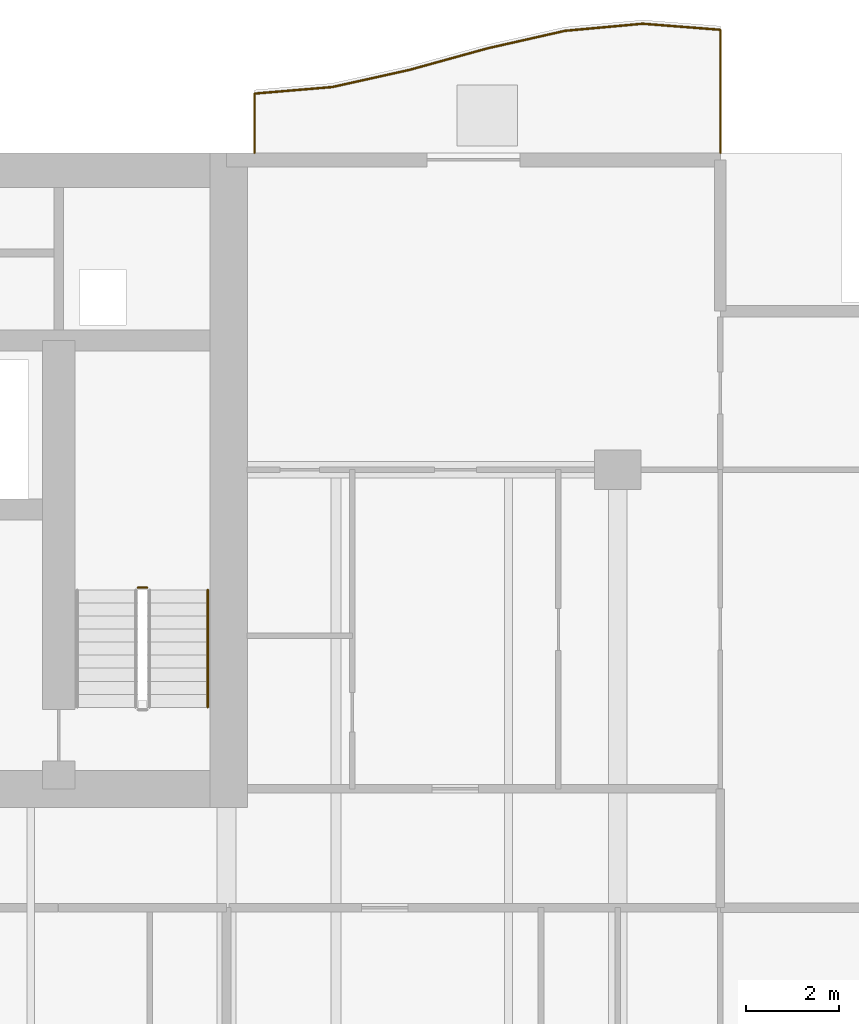
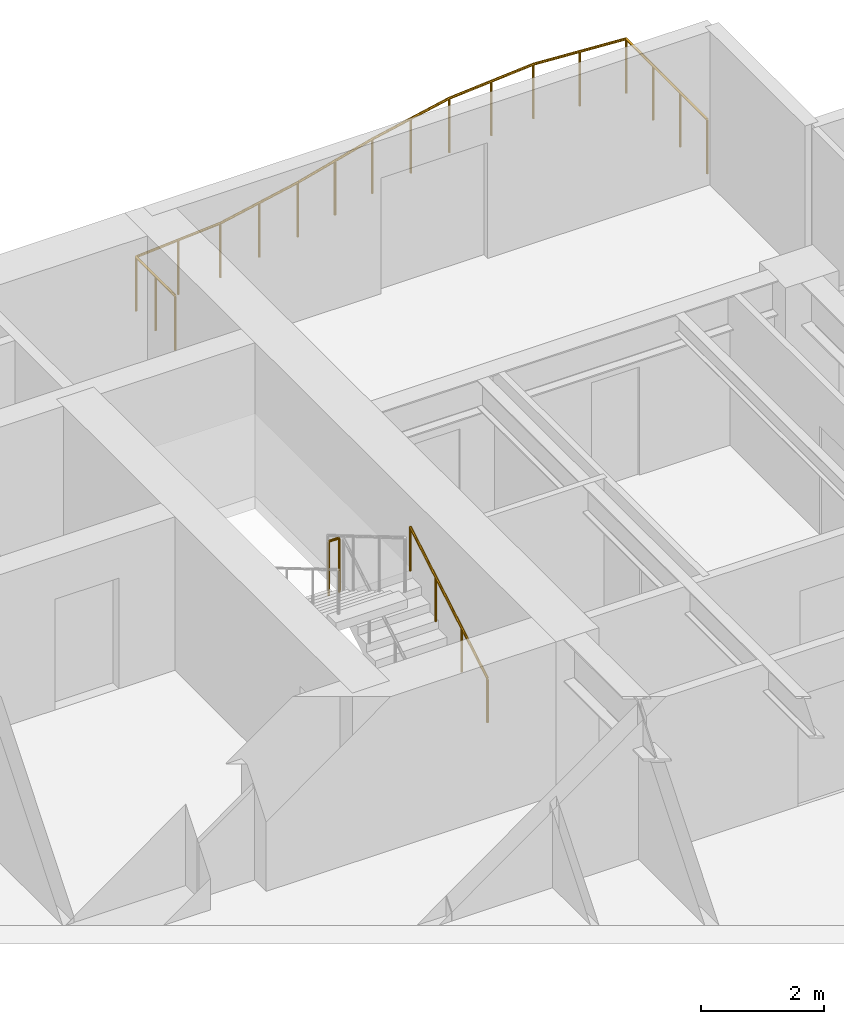
# One storey, part 16 of 17: 3 railings.
"""IFC4 building model written with IfcOpenShell, lengths in metres."""

import ifcopenshell
import ifcopenshell.guid

model = None  # the IFC model being written
_history = None  # IfcOwnerHistory: only IFC2X3 demands one
_inside = {}  # id of a spatial element -> (the spatial element, [elements in it])
_under = {}  # id of a project, library or spatial element -> (it, [spatial elements below it])
_declared = {}  # id of a project -> (the project, [libraries it declares])
_typed = {}  # id of a type object -> (the type object, [elements of that type])
_made_of = {}  # id of a material, layer set ... -> (it, [elements and type objects made of it])


def new_model(schema):
    """Start an empty IFC model of exactly this schema.

    Asked for "IFC4X3", IfcOpenShell would pick the latest addendum, in which some entities
    have other attributes; the version numbers below select the first issue.
    IFC2X3 requires an IfcOwnerHistory on every rooted entity: one is made here for all.
    """
    global model, _history
    if schema == "IFC4X3":
        model = ifcopenshell.file(schema_version=(4, 3, 0, 0))
    else:
        model = ifcopenshell.file(schema=schema)
    _inside.clear()
    _under.clear()
    _declared.clear()
    _typed.clear()
    _made_of.clear()
    _history = None
    if model.schema == "IFC2X3":
        org = make("IfcOrganization", Name="unknown")
        user = make(
            "IfcPersonAndOrganization",
            ThePerson=make("IfcPerson", FamilyName="unknown"),
            TheOrganization=org,
        )
        app = make(
            "IfcApplication",
            ApplicationDeveloper=org,
            Version="unknown",
            ApplicationFullName="unknown",
            ApplicationIdentifier="unknown",
        )
        _history = make(
            "IfcOwnerHistory",
            OwningUser=user,
            OwningApplication=app,
            ChangeAction="ADDED",
            CreationDate=0,
        )
    return model


def make(cls, **values):
    """One entity of the class cls with the attributes given. An attribute that is None is left unset."""
    return model.create_entity(
        cls, **{name: value for name, value in values.items() if value is not None}
    )


def rooted(cls, **values):
    """An entity with a GlobalId (a new one), such as an element, a storey or a relation."""
    return make(cls, GlobalId=ifcopenshell.guid.new(), OwnerHistory=_history, **values)


def si_unit(unit_type, name, prefix=None):
    """IfcSIUnit, for example si_unit("LENGTHUNIT", "METRE", prefix="MILLI")."""
    return make("IfcSIUnit", UnitType=unit_type, Prefix=prefix, Name=name)


def assignment(units):
    """IfcUnitAssignment: the units of a project."""
    return None if units is None else make("IfcUnitAssignment", Units=units)


def point(xyz):
    """IfcCartesianPoint."""
    return None if xyz is None else make("IfcCartesianPoint", Coordinates=xyz)


def direction(xyz):
    """IfcDirection."""
    return None if xyz is None else make("IfcDirection", DirectionRatios=xyz)


def frame(location, z_axis=None, x_axis=None):
    """IfcAxis2Placement3D, a coordinate frame: its origin and axes. An axis left out is left unset."""
    return make(
        "IfcAxis2Placement3D",
        Location=point(location),
        Axis=direction(z_axis),
        RefDirection=direction(x_axis),
    )


def frame_2d(location, x_axis=None):
    """IfcAxis2Placement2D, a coordinate frame in the plane: its origin and x axis."""
    return make(
        "IfcAxis2Placement2D", Location=point(location), RefDirection=direction(x_axis)
    )


def origin():
    """The frame at (0, 0, 0) with its axes left unset."""
    return frame((0.0, 0.0, 0.0))


def origin_2d():
    """The frame at (0, 0) in the plane with its x axis left unset."""
    return frame_2d((0.0, 0.0))


def place(relative_to, where):
    """IfcLocalPlacement: puts the frame where relative to a parent placement (None: the world)."""
    return make(
        "IfcLocalPlacement", PlacementRelTo=relative_to, RelativePlacement=where
    )


def context(
    kind, dimensions, precision=None, world=None, true_north=None, identifier=None
):
    """IfcGeometricRepresentationContext, for example the 3D "Model" context."""
    return make(
        "IfcGeometricRepresentationContext",
        ContextIdentifier=identifier,
        ContextType=kind,
        CoordinateSpaceDimension=dimensions,
        Precision=precision,
        WorldCoordinateSystem=world,
        TrueNorth=true_north,
    )


def subcontext(parent, identifier, kind, view, scale=None):
    """IfcGeometricRepresentationSubContext, for example "Body" below "Model"."""
    return make(
        "IfcGeometricRepresentationSubContext",
        ContextIdentifier=identifier,
        ContextType=kind,
        ParentContext=parent,
        TargetScale=scale,
        TargetView=view,
    )


def project(units=None, contexts=None):
    """IfcProject with its units and contexts."""
    return rooted(
        "IfcProject",
        Name="project",
        RepresentationContexts=contexts,
        UnitsInContext=assignment(units),
    )


def spatial(cls, under=None, at=None, **own):
    """A site, building, storey or space (cls), placed at a placement, below another one or the project."""
    s = rooted(cls, ObjectPlacement=at, **own)
    if under is not None:
        _under.setdefault(under.id(), (under, []))[1].append(s)
    return s


def profile(cls, at=None, kind="AREA", **sizes):
    """A parametric profile (cls). Its sizes go by their IFC names, for example OverallWidth=200.0."""
    return make(cls, ProfileType=kind, Position=at, **sizes)


def circle(**sizes):
    """IfcCircleProfileDef."""
    return profile("IfcCircleProfileDef", **sizes)


def extrude(swept, where, along, depth):
    """IfcExtrudedAreaSolid: the profile swept, set in the frame where, extruded along a direction by depth."""
    return make(
        "IfcExtrudedAreaSolid",
        SweptArea=swept,
        Position=where,
        ExtrudedDirection=direction(along),
        Depth=depth,
    )


def shape(context_of_items, identifier, shape_type, items):
    """IfcShapeRepresentation: the items that make up one representation, for example the "Body"."""
    return make(
        "IfcShapeRepresentation",
        ContextOfItems=context_of_items,
        RepresentationIdentifier=identifier,
        RepresentationType=shape_type,
        Items=items,
    )


def material(Name=None, Category=None):
    """IfcMaterial."""
    return make("IfcMaterial", Name=Name, Category=Category)


def made_of(thing, what):
    """Note that an element or type object is made of a material, layer set ...; save() writes the relation."""
    if what is not None:
        _made_of.setdefault(what.id(), (what, []))[1].append(thing)
    return thing


def type_object(cls, material=None, **own):
    """A type object (cls), such as IfcWallType, which elements share."""
    return made_of(rooted(cls, **own), material)


def element(
    cls,
    number,
    at=None,
    inside=None,
    cuts=None,
    type_object=None,
    material=None,
    context=None,
    identifier="Body",
    shape_type=None,
    held_by="IfcProductDefinitionShape",
    body=None,
    shapes=None,
    **own,
):
    """One element of the class cls, such as IfcWall. Its Tag is "e" and its number.

    at: its placement. inside: the storey or other place that contains it. cuts: it is an
    opening in that element (IfcRelVoidsElement). A single representation is given by context,
    identifier, shape_type and body (its items); several are given by shapes. held_by: the class
    of the entity that holds the representations. save() writes the other relations.
    """
    e = rooted(cls, Tag="e%d" % number, ObjectPlacement=at, **own)
    if body is not None:
        shapes = [shape(context, identifier, shape_type, body)]
    if shapes is not None:
        e.Representation = make(held_by, Representations=shapes)
    if inside is not None:
        _inside.setdefault(inside.id(), (inside, []))[1].append(e)
    if cuts is not None:
        rooted(
            "IfcRelVoidsElement", RelatingBuildingElement=cuts, RelatedOpeningElement=e
        )
    if type_object is not None:
        _typed.setdefault(type_object.id(), (type_object, []))[1].append(e)
    return made_of(e, material)


def aggregate(whole, parts):
    """IfcRelAggregates: a whole, such as a stair, and the parts it consists of."""
    return rooted("IfcRelAggregates", RelatingObject=whole, RelatedObjects=parts)


def save(model, path):
    """Write the relations noted so far, then the file.

    IfcRelAggregates (storeys below a building ...), IfcRelContainedInSpatialStructure (elements
    in a storey), IfcRelDefinesByType, IfcRelAssociatesMaterial and IfcRelDeclares: one each for
    every whole, place, type object, material and project.
    """
    for whole, parts in _under.values():
        aggregate(whole, parts)
    for where, things in _inside.values():
        rooted(
            "IfcRelContainedInSpatialStructure",
            RelatedElements=things,
            RelatingStructure=where,
        )
    for kind, things in _typed.values():
        rooted("IfcRelDefinesByType", RelatedObjects=things, RelatingType=kind)
    for what, things in _made_of.values():
        rooted("IfcRelAssociatesMaterial", RelatedObjects=things, RelatingMaterial=what)
    for by, libraries in _declared.values():
        rooted("IfcRelDeclares", RelatingContext=by, RelatedDefinitions=libraries)
    model.write(path)


model = new_model("IFC4")

# Units and contexts
model_context = context("Model", 3, precision=1e-05, world=origin(), true_north=direction((0.0, 1.0)))
body_context = subcontext(model_context, "Body", "Model", "MODEL_VIEW")
ifc_project = project(units=[si_unit("LENGTHUNIT", "METRE"), si_unit("AREAUNIT", "SQUARE_METRE"), si_unit("VOLUMEUNIT", "CUBIC_METRE"), si_unit("PLANEANGLEUNIT", "RADIAN"), si_unit("MASSUNIT", "GRAM", prefix="KILO")], contexts=[model_context])

# Site, building, storey
site_placement = place(None, origin())
site = spatial("IfcSite", under=ifc_project, at=site_placement, CompositionType="ELEMENT")
building_placement = place(site_placement, origin())
building = spatial("IfcBuilding", under=site, at=building_placement, Name="Caelmar Bay Residences", CompositionType="ELEMENT")
storey_placement = place(building_placement, frame((0.0, 0.0, 84.60009765625)))
storey = spatial("IfcBuildingStorey", under=building, at=storey_placement, Name="L22", CompositionType="ELEMENT", Elevation=84.60009765625)

# Railings
ifc_material_1 = material(Name="Anodised bronze handrail with laminated hurricane glass infill", Category="glass")
railing_type_1 = type_object("IfcRailingType", Name="RL-BAL-1100", PredefinedType="BALUSTRADE", material=ifc_material_1)
railing_1_placement = place(storey_placement, frame((70.10009765625, 50.60009765625, 0.0)))
element("IfcRailing", 1, at=railing_1_placement, inside=storey, type_object=railing_type_1, Name="L22 north_east Balcony Balustrade", PredefinedType="BALUSTRADE", context=body_context, shape_type="SweptSolid", body=[
    extrude(circle(Radius=0.02392578125, at=origin_2d()), frame((0.0, 0.0, 1.076171875), z_axis=(0.0, 1.0, 0.0), x_axis=(-1.0, 0.0, 0.0)), (0.0, 0.0, 1.0), 2.6396484375),
    extrude(circle(Radius=0.02392578125, at=origin_2d()), frame((0.0, 2.6396484375, 1.076171875), z_axis=(-0.996966215155, 0.077835505006, 0.0), x_axis=(-0.077835505006, -0.996966215155, 0.0)), (0.0, 0.0, 1.0), 1.671875),
    extrude(circle(Radius=0.02392578125, at=origin_2d()), frame((-1.666748046875, 2.769775390625, 1.076171875), z_axis=(-0.995875251716, -0.090733031576, 0.0), x_axis=(0.090733031576, -0.995875251716, 0.0)), (0.0, 0.0, 1.0), 1.673583984375),
    extrude(circle(Radius=0.02392578125, at=origin_2d()), frame((-3.33349609375, 2.617919921875, 1.076171875), z_axis=(-0.975359729599, -0.220620483812, 0.0), x_axis=(0.220620483812, -0.975359729599, 0.0)), (0.0, 0.0, 1.0), 1.70849609375),
    extrude(circle(Radius=0.02392578125, at=origin_2d()), frame((-5.0, 2.240966796875, 1.076171875), z_axis=(-0.963967650546, -0.266019489326, 0.0), x_axis=(0.266019489326, -0.963967650546, 0.0)), (0.0, 0.0, 1.0), 1.72900390625),
    extrude(circle(Radius=0.02392578125, at=origin_2d()), frame((-6.666748046875, 1.781005859375, 1.076171875), z_axis=(-0.976220694112, -0.216779049696, 0.0), x_axis=(0.216779049696, -0.976220694112, 0.0)), (0.0, 0.0, 1.0), 1.707275390625),
    extrude(circle(Radius=0.02392578125, at=origin_2d()), frame((-8.33349609375, 1.410888671875, 1.076171875), z_axis=(-0.996446393918, -0.084229353837, 0.0), x_axis=(0.084229353837, -0.996446393918, 0.0)), (0.0, 0.0, 1.0), 1.67236328125),
    extrude(circle(Radius=0.02392578125, at=origin_2d()), frame((-10.0, 1.27001953125, 1.076171875), z_axis=(0.0, -1.0, 0.0), x_axis=(1.0, 0.0, 0.0)), (0.0, 0.0, 1.0), 1.27001953125),
    extrude(circle(Radius=0.02099609375, at=origin_2d()), origin(), (0.0, 0.0, 1.0), 1.052001953125),
    extrude(circle(Radius=0.02099609375, at=origin_2d()), frame((0.0, 0.8798828125, 0.0)), (0.0, 0.0, 1.0), 1.052001953125),
    extrude(circle(Radius=0.02099609375, at=origin_2d()), frame((0.0, 1.759765625, 0.0)), (0.0, 0.0, 1.0), 1.052001953125),
    extrude(circle(Radius=0.02099609375, at=origin_2d()), frame((0.0, 2.6396484375, 0.0)), (0.0, 0.0, 1.0), 1.052001953125),
    extrude(circle(Radius=0.02099609375, at=origin_2d()), frame((-0.83349609375, 2.70458984375, 0.0)), (0.0, 0.0, 1.0), 1.052001953125),
    extrude(circle(Radius=0.02099609375, at=origin_2d()), frame((-1.666748046875, 2.769775390625, 0.0)), (0.0, 0.0, 1.0), 1.052001953125),
    extrude(circle(Radius=0.02099609375, at=origin_2d()), frame((-2.5, 2.69384765625, 0.0)), (0.0, 0.0, 1.0), 1.052001953125),
    extrude(circle(Radius=0.02099609375, at=origin_2d()), frame((-3.33349609375, 2.617919921875, 0.0)), (0.0, 0.0, 1.0), 1.052001953125),
    extrude(circle(Radius=0.02099609375, at=origin_2d()), frame((-4.166748046875, 2.429443359375, 0.0)), (0.0, 0.0, 1.0), 1.052001953125),
    extrude(circle(Radius=0.02099609375, at=origin_2d()), frame((-5.0, 2.240966796875, 0.0)), (0.0, 0.0, 1.0), 1.052001953125),
    extrude(circle(Radius=0.02099609375, at=origin_2d()), frame((-5.83349609375, 2.010986328125, 0.0)), (0.0, 0.0, 1.0), 1.052001953125),
    extrude(circle(Radius=0.02099609375, at=origin_2d()), frame((-6.666748046875, 1.781005859375, 0.0)), (0.0, 0.0, 1.0), 1.052001953125),
    extrude(circle(Radius=0.02099609375, at=origin_2d()), frame((-7.5, 1.595947265625, 0.0)), (0.0, 0.0, 1.0), 1.052001953125),
    extrude(circle(Radius=0.02099609375, at=origin_2d()), frame((-8.33349609375, 1.410888671875, 0.0)), (0.0, 0.0, 1.0), 1.052001953125),
    extrude(circle(Radius=0.02099609375, at=origin_2d()), frame((-9.166748046875, 1.34033203125, 0.0)), (0.0, 0.0, 1.0), 1.052001953125),
    extrude(circle(Radius=0.02099609375, at=origin_2d()), frame((-10.0, 1.27001953125, 0.0)), (0.0, 0.0, 1.0), 1.052001953125),
    extrude(circle(Radius=0.02099609375, at=origin_2d()), frame((-10.0, 0.635009765625, 0.0)), (0.0, 0.0, 1.0), 1.052001953125),
    extrude(circle(Radius=0.02099609375, at=origin_2d()), frame((-10.0, 0.0, 0.0)), (0.0, 0.0, 1.0), 1.052001953125),
])
ifc_material_2 = material(Name="Painted galvanized steel stair guard 1100 mm", Category="steel")
railing_type_2 = type_object("IfcRailingType", Name="RL-GRD-1100", PredefinedType="GUARDRAIL", material=ifc_material_2)
railing_2_placement = place(storey_placement, frame((57.800048828125, 41.27001953125, 1.64990234375)))
element("IfcRailing", 2, at=railing_2_placement, inside=storey, type_object=railing_type_2, Name="L22 ST2 stair guard 2", PredefinedType="GUARDRAIL", context=body_context, shape_type="SweptSolid", body=[
    extrude(circle(Radius=0.02392578125, at=origin_2d()), frame((0.0, 0.0, 1.076171875), z_axis=(-1.0, 0.0, 0.0), x_axis=(0.0, -1.0, 0.0)), (0.0, 0.0, 1.0), 0.199951171875),
    extrude(circle(Radius=0.02099609375, at=origin_2d()), origin(), (0.0, 0.0, 1.0), 1.052001953125),
    extrude(circle(Radius=0.02099609375, at=origin_2d()), frame((-0.199951171875, 0.0, 0.0)), (0.0, 0.0, 1.0), 1.052001953125),
])
ifc_material_3 = material(Name="Brushed bronze stainless-steel tubular handrail 900 mm", Category="steel")
railing_type_3 = type_object("IfcRailingType", Name="RL-HND-900", PredefinedType="HANDRAIL", material=ifc_material_3)
railing_3_placement = place(storey_placement, frame((59.10009765625, 38.699951171875, 0.164794921875)))
element("IfcRailing", 3, at=railing_3_placement, inside=storey, type_object=railing_type_3, Name="L22 ST2 stair handrail 1", PredefinedType="HANDRAIL", context=body_context, shape_type="SweptSolid", body=[
    extrude(circle(Radius=0.02392578125, at=origin_2d()), frame((0.0, 0.0, 0.8759765625), z_axis=(0.0, 0.86152411907, 0.507716645641), x_axis=(-1.0, 0.0, 0.0)), (0.0, 0.0, 1.0), 2.925048828125),
    extrude(circle(Radius=0.02099609375, at=origin_2d()), origin(), (0.0, 0.0, 1.0), 0.851806640625),
    extrude(circle(Radius=0.02099609375, at=origin_2d()), frame((0.0, 0.840087890625, 0.4951171875)), (0.0, 0.0, 1.0), 0.851806640625),
    extrude(circle(Radius=0.02099609375, at=origin_2d()), frame((0.0, 1.679931640625, 0.989990234375)), (0.0, 0.0, 1.0), 0.851806640625),
    extrude(circle(Radius=0.02099609375, at=origin_2d()), frame((0.0, 2.52001953125, 1.485107421875)), (0.0, 0.0, 1.0), 0.851806640625),
])

save(model, "model.ifc")
